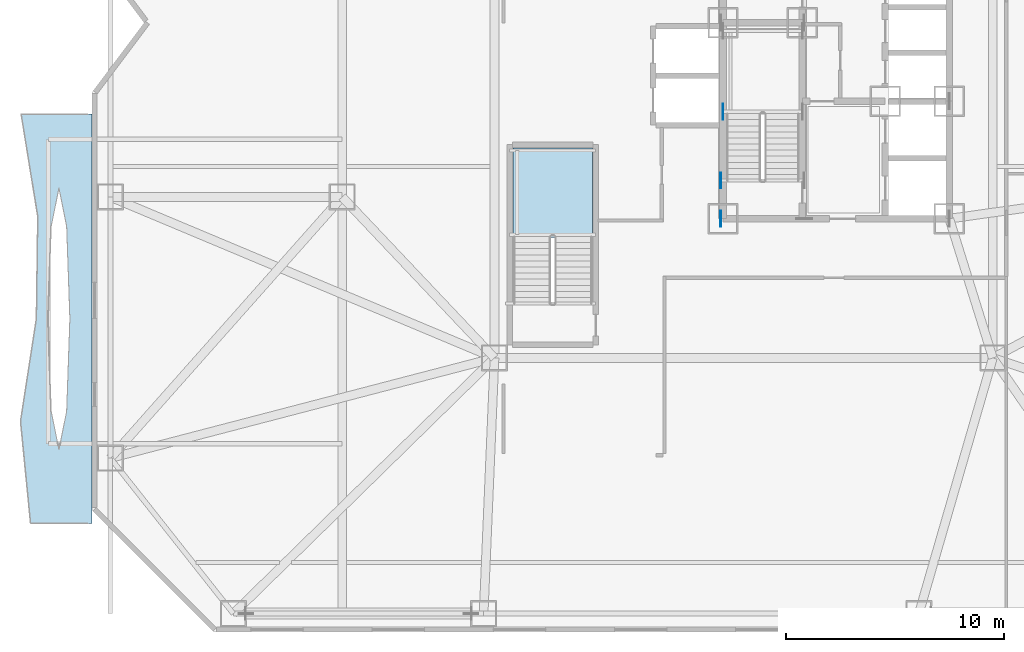
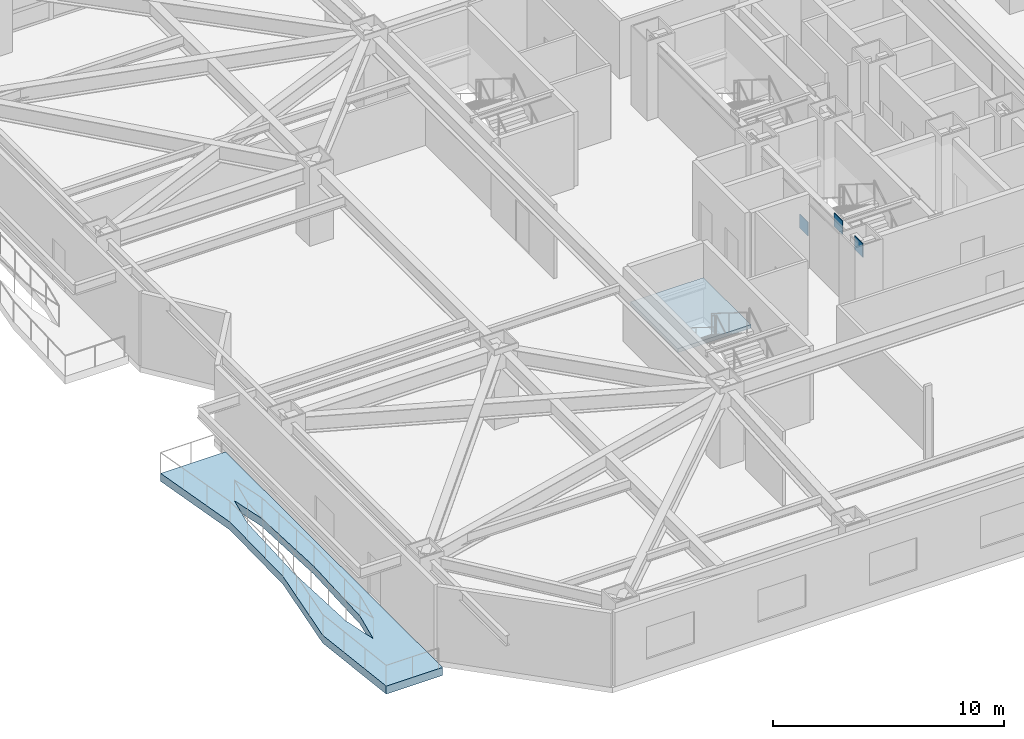
# One storey, part 9 of 25: 3 plates, 2 slabs, 1 element without a shape of its own.
"""IFC4 building model written with IfcOpenShell, lengths in metres."""

from ifc_helpers import new_model, si_unit, direction, frame, origin, origin_2d, place, context, subcontext, project, spatial, polyline, rectangle, outline, extrude, material, layer, layer_set, type_object, element, aggregate, save


model = new_model("IFC4")

# Units and contexts
model_context = context("Model", 3, precision=1e-05, world=origin(), true_north=direction((0.0, 1.0)))
body_context = subcontext(model_context, "Body", "Model", "MODEL_VIEW")
ifc_project = project(units=[si_unit("LENGTHUNIT", "METRE"), si_unit("AREAUNIT", "SQUARE_METRE"), si_unit("VOLUMEUNIT", "CUBIC_METRE"), si_unit("PLANEANGLEUNIT", "RADIAN"), si_unit("MASSUNIT", "GRAM", prefix="KILO")], contexts=[model_context])

# Site, building, storey
site_placement = place(None, origin())
site = spatial("IfcSite", under=ifc_project, at=site_placement, CompositionType="ELEMENT")
building_placement = place(site_placement, origin())
building = spatial("IfcBuilding", under=site, at=building_placement, Name="Khamvora Tower", CompositionType="ELEMENT")
storey_placement = place(building_placement, frame((0.0, 0.0, 24.60009765625)))
storey = spatial("IfcBuildingStorey", under=building, at=storey_placement, Name="L05", CompositionType="ELEMENT", Elevation=24.60009765625)

# Plates
ifc_material_1 = material(Name="Steel S460", Category="steel")
ifc_layer_1 = layer(ifc_material_1, 0.034912109375)
ifc_layer_set_1 = layer_set([ifc_layer_1], Name="Steel S460")
plate_type = type_object("IfcPlateType", Name="PL-EMB-35", PredefinedType="SHEET", material=ifc_layer_set_1)
for number, where, z_axis, x_axis, name in (
    (1, (29.0, 23.9150390625, 1.40869140625), (0.0, 0.0, 1.0), (1.0, 0.0, 0.0), "L05 core shear wall cast-in embed plate 0175"),
    (2, (28.89990234375, 19.0, 3.29296875), (0.0, 0.0, 1.0), (1.0, 0.0, 0.0), "L05 core shear wall cast-in embed plate 0186"),
    (3, (28.89990234375, 20.75, 3.43408203125), (0.0, 0.0, 1.0), (1.0, 0.0, 0.0), "L05 core shear wall cast-in embed plate 0195"),
):
    element("IfcPlate", number, at=place(storey_placement, frame(where, z_axis=z_axis, x_axis=x_axis)), inside=storey, type_object=plate_type, Name=name, PredefinedType="SHEET", context=body_context, shape_type="SweptSolid", body=[
        extrude(rectangle(XDim=0.034912109375, YDim=0.719970703125, at=origin_2d()), origin(), (0.0, 0.0, 1.0), 0.719970703125),
    ])

# Slab
ifc_material_2 = material(Name="Concrete C40/50", Category="concrete")
ifc_layer_2 = layer(ifc_material_2, 0.419921875)
ifc_layer_set_2 = layer_set([ifc_layer_2], Name="Concrete C40/50")
slab_type_1 = type_object("IfcSlabType", Name="SLB-GRD-420", PredefinedType="FLOOR", material=ifc_layer_set_2)
slab_1_placement = place(storey_placement, frame((0.0, 0.0, -0.420166015625)))
element("IfcSlab", 4, at=slab_1_placement, inside=storey, type_object=slab_type_1, Name="L05 external lens gallery slab WL1", PredefinedType="FLOOR", context=body_context, shape_type="SweptSolid", body=[
    extrude(outline(polyline([(0.0, 5.0), (0.0, 23.800048828125), (-3.25, 23.800048828125), (-2.487060546875, 19.10009765625), (-2.552001953125, 14.39990234375), (-3.280029296875, 9.699951171875), (-2.820068359375, 5.0), (0.0, 5.0)]), holes=[polyline([(-1.010986328125, 14.39990234375), (-1.158935546875, 18.654052734375), (-1.514892578125, 20.416015625), (-1.87109375, 18.654052734375), (-2.01904296875, 14.39990234375), (-1.87109375, 10.14599609375), (-1.514892578125, 8.384033203125), (-1.158935546875, 10.14599609375), (-1.010986328125, 14.39990234375)])]), origin(), (0.0, 0.0, 1.0), 0.420166015625),
])

# Stair, slab
stair_type = type_object("IfcStairType", Name="STR-ST-03", PredefinedType="HALF_TURN_STAIR", material=ifc_material_2)
stair_placement = place(storey_placement, origin())
stair = element("IfcStair", 5, at=stair_placement, inside=storey, type_object=stair_type, Name="L05 South School Podium Stair ST-03", PredefinedType="HALF_TURN_STAIR")
ifc_layer_3 = layer(ifc_material_2, 0.199951171875)
ifc_layer_set_3 = layer_set([ifc_layer_3], Name="Concrete C40/50")
slab_type_2 = type_object("IfcSlabType", Name="SLB-LND-200", PredefinedType="LANDING", material=ifc_layer_set_3)
slab_2_placement = place(storey_placement, frame((0.0, 0.0, 1.89990234375)))
slab_2 = element("IfcSlab", 6, at=slab_2_placement, type_object=slab_type_2, Name="ST-03 landing 1", PredefinedType="LANDING", context=body_context, shape_type="SweptSolid", body=[
    extrude(outline(polyline([(23.0, 18.14501953125), (23.0, 22.25), (19.35009765625, 22.25), (19.35009765625, 18.14501953125), (23.0, 18.14501953125)])), origin(), (0.0, 0.0, 1.0), 0.199951171875),
])
aggregate(stair, [slab_2])

save(model, "model.ifc")
